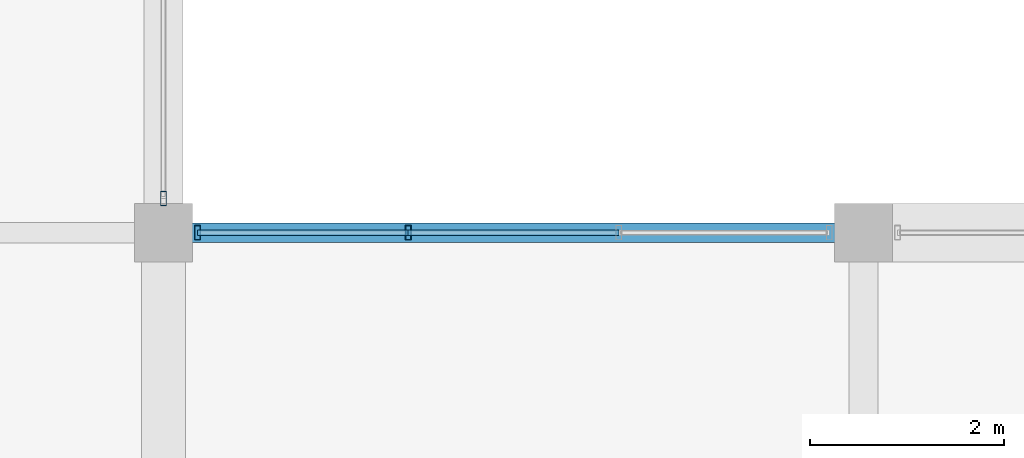
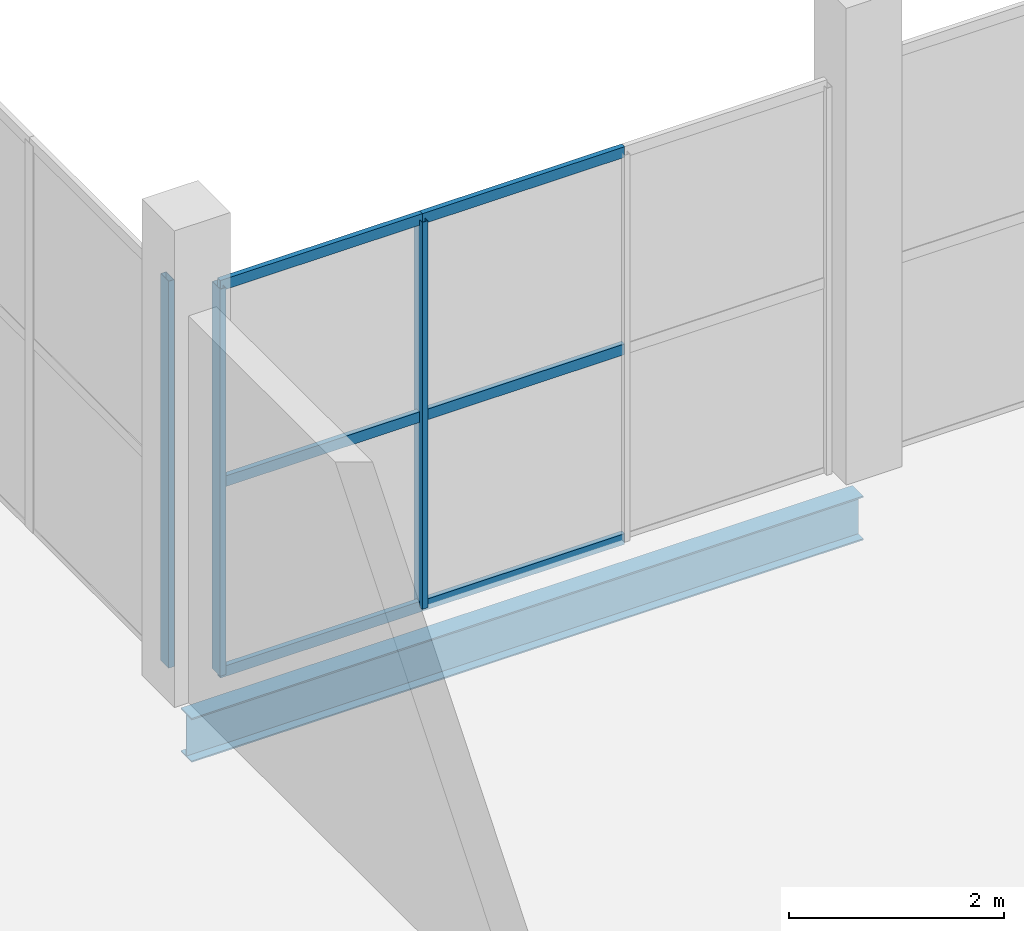
# One storey, part 50 of 141: 9 members, 1 beam, 2 elements without a shape of their own.
"""IFC4 building model written with IfcOpenShell, lengths in metres."""

from ifc_helpers import new_model, si_unit, direction, frame, origin, origin_2d, place, context, subcontext, project, spatial, hollow_rectangle, i_section, extrude, material, layer, layer_set, material_profile, profile_set, type_object, element, aggregate, save


model = new_model("IFC4")

# Units and contexts
model_context = context("Model", 3, precision=1e-05, world=origin(), true_north=direction((0.0, 1.0)))
body_context = subcontext(model_context, "Body", "Model", "MODEL_VIEW")
ifc_project = project(units=[si_unit("LENGTHUNIT", "METRE"), si_unit("AREAUNIT", "SQUARE_METRE"), si_unit("VOLUMEUNIT", "CUBIC_METRE"), si_unit("PLANEANGLEUNIT", "RADIAN"), si_unit("MASSUNIT", "GRAM", prefix="KILO")], contexts=[model_context])

# Site, building, storey
site_placement = place(None, origin())
site = spatial("IfcSite", under=ifc_project, at=site_placement, CompositionType="ELEMENT")
building_placement = place(site_placement, origin())
building = spatial("IfcBuilding", under=site, at=building_placement, Name="Sundgate Opera House", CompositionType="ELEMENT")
storey_placement = place(building_placement, frame((0.0, 0.0, 11.39990234375)))
storey = spatial("IfcBuildingStorey", under=building, at=storey_placement, Name="L02", CompositionType="ELEMENT", Elevation=11.39990234375)

# Beam
ifc_material_1 = material(Name="Steel S355J2", Category="steel")
ifc_material_profile_1 = material_profile(ifc_material_1, i_section(OverallWidth=0.199951171875, OverallDepth=0.5, WebThickness=0.01025390625, FlangeThickness=0.01611328125, at=origin_2d()), Name="IPE 500")
ifc_profile_set_1 = profile_set([ifc_material_profile_1], Name="Steel S355J2")
beam_type = type_object("IfcBeamType", Name="BM-GR-IPE500", PredefinedType="BEAM", material=ifc_profile_set_1)
beam_placement = place(storey_placement, frame((124.199951171875, 87.0, -0.599853515625), z_axis=(1.0, 0.0, 0.0), x_axis=(0.0, 1.0, 0.0)))
element("IfcBeam", 1, at=beam_placement, inside=storey, type_object=beam_type, Name="L02 Primary E-W Girder B2063", PredefinedType="BEAM", context=body_context, shape_type="SweptSolid", body=[
    extrude(i_section(OverallWidth=0.199951171875, OverallDepth=0.5, WebThickness=0.01025390625, FlangeThickness=0.01611328125, at=origin_2d()), origin(), (0.0, 0.0, 1.0), 7.199951171875),
])

# Curtain wall, members
ifc_material_2 = material(Name="Anodized aluminium and low-iron glass", Category="aluminium")
ifc_layer = layer(ifc_material_2, 0.159912109375)
ifc_layer_set = layer_set([ifc_layer], Name="Anodized aluminium and low-iron glass")
curtain_wall_type = type_object("IfcCurtainWallType", Name="CW-STUDIO-DARK", PredefinedType="NOTDEFINED", material=ifc_layer_set)
curtain_wall_1_placement = place(storey_placement, origin())
curtain_wall_1 = element("IfcCurtainWall", 2, at=curtain_wall_1_placement, inside=storey, type_object=curtain_wall_type, Name="L02 Curtain Wall CW108", PredefinedType="NOTDEFINED")
ifc_material_3 = material(Name="Anodized aluminium EN AW-6063", Category="aluminium")
ifc_material_profile_2 = material_profile(ifc_material_3, hollow_rectangle(XDim=0.06005859375, YDim=0.14990234375, WallThickness=0.00390625, at=origin_2d()), Name="CWM 150x60x4")
ifc_profile_set_2 = profile_set([ifc_material_profile_2], Name="Anodized aluminium EN AW-6063")
member_type_1 = type_object("IfcMemberType", Name="CWM-ALU-150x60", PredefinedType="MULLION", material=ifc_profile_set_2)
member_1_placement = place(storey_placement, frame((124.550048828125, 87.0, 0.0), z_axis=(0.0, 0.0, 1.0), x_axis=(1.0, 0.0, 0.0)))
member_1 = element("IfcMember", 3, at=member_1_placement, type_object=member_type_1, Name="CW108 Mullion 1", PredefinedType="MULLION", context=body_context, shape_type="SweptSolid", body=[
    extrude(hollow_rectangle(XDim=0.06005859375, YDim=0.14990234375, WallThickness=0.00390625, at=origin_2d()), origin(), (0.0, 0.0, 1.0), 4.385009765625),
])
member_2_placement = place(storey_placement, frame((126.716552734375, 87.0, 0.0), z_axis=(0.0, 0.0, 1.0), x_axis=(1.0, 0.0, 0.0)))
member_2 = element("IfcMember", 4, at=member_2_placement, type_object=member_type_1, Name="CW108 Mullion 2", PredefinedType="MULLION", context=body_context, shape_type="SweptSolid", body=[
    extrude(hollow_rectangle(XDim=0.06005859375, YDim=0.14990234375, WallThickness=0.00390625, at=origin_2d()), origin(), (0.0, 0.0, 1.0), 4.385009765625),
])

# Curtain wall, member
curtain_wall_2_placement = place(storey_placement, origin())
curtain_wall_2 = element("IfcCurtainWall", 5, at=curtain_wall_2_placement, inside=storey, type_object=curtain_wall_type, Name="L02 Curtain Wall CW116", PredefinedType="NOTDEFINED")
member_3_placement = place(storey_placement, frame((124.199951171875, 87.35009765625, 0.0), z_axis=(0.0, 0.0, 1.0), x_axis=(1.0, 0.0, 0.0)))
member_3 = element("IfcMember", 6, at=member_3_placement, type_object=member_type_1, Name="CW116 Mullion 1", PredefinedType="MULLION", context=body_context, shape_type="SweptSolid", body=[
    extrude(hollow_rectangle(XDim=0.06005859375, YDim=0.14990234375, WallThickness=0.00390625, at=origin_2d()), origin(), (0.0, 0.0, 1.0), 4.385009765625),
])
aggregate(curtain_wall_2, [member_3])

# Member
ifc_material_4 = material(Name="Anodized aluminium EN AW-6063", Category="aluminium")
ifc_material_profile_3 = material_profile(ifc_material_4, hollow_rectangle(XDim=0.054931640625, YDim=0.1201171875, WallThickness=0.00390625, at=origin_2d()), Name="CWT 120x55x4")
ifc_profile_set_3 = profile_set([ifc_material_profile_3], Name="Anodized aluminium EN AW-6063")
member_type_2 = type_object("IfcMemberType", Name="CWT-ALU-120x55", PredefinedType="USERDEFINED", material=ifc_profile_set_3)
member_4_placement = place(storey_placement, frame((124.550048828125, 87.0, 0.0), z_axis=(1.0, 0.0, 0.0), x_axis=(0.0, 1.0, 0.0)))
member_4 = element("IfcMember", 7, at=member_4_placement, type_object=member_type_2, Name="CW108 Transom 1", ObjectType="TRANSOM", PredefinedType="USERDEFINED", context=body_context, shape_type="SweptSolid", body=[
    extrude(hollow_rectangle(XDim=0.054931640625, YDim=0.1201171875, WallThickness=0.00390625, at=origin_2d()), origin(), (0.0, 0.0, 1.0), 2.16650390625),
])

member_5_placement = place(storey_placement, frame((124.550048828125, 87.0, 2.150146484375), z_axis=(1.0, 0.0, 0.0), x_axis=(0.0, 1.0, 0.0)))
member_5 = element("IfcMember", 8, at=member_5_placement, type_object=member_type_2, Name="CW108 Transom 2", ObjectType="TRANSOM", PredefinedType="USERDEFINED", context=body_context, shape_type="SweptSolid", body=[
    extrude(hollow_rectangle(XDim=0.054931640625, YDim=0.1201171875, WallThickness=0.00390625, at=origin_2d()), origin(), (0.0, 0.0, 1.0), 2.16650390625),
])

member_6_placement = place(storey_placement, frame((124.550048828125, 87.0, 4.385009765625), z_axis=(1.0, 0.0, 0.0), x_axis=(0.0, 1.0, 0.0)))
member_6 = element("IfcMember", 9, at=member_6_placement, type_object=member_type_2, Name="CW108 Transom 3", ObjectType="TRANSOM", PredefinedType="USERDEFINED", context=body_context, shape_type="SweptSolid", body=[
    extrude(hollow_rectangle(XDim=0.054931640625, YDim=0.1201171875, WallThickness=0.00390625, at=origin_2d()), origin(), (0.0, 0.0, 1.0), 2.16650390625),
])

member_7_placement = place(storey_placement, frame((126.716552734375, 87.0, 0.0), z_axis=(1.0, 0.0, 0.0), x_axis=(0.0, 1.0, 0.0)))
member_7 = element("IfcMember", 10, at=member_7_placement, type_object=member_type_2, Name="CW108 Transom 4", ObjectType="TRANSOM", PredefinedType="USERDEFINED", context=body_context, shape_type="SweptSolid", body=[
    extrude(hollow_rectangle(XDim=0.054931640625, YDim=0.1201171875, WallThickness=0.00390625, at=origin_2d()), origin(), (0.0, 0.0, 1.0), 2.166748046875),
])

member_8_placement = place(storey_placement, frame((126.716552734375, 87.0, 2.150146484375), z_axis=(1.0, 0.0, 0.0), x_axis=(0.0, 1.0, 0.0)))
member_8 = element("IfcMember", 11, at=member_8_placement, type_object=member_type_2, Name="CW108 Transom 5", ObjectType="TRANSOM", PredefinedType="USERDEFINED", context=body_context, shape_type="SweptSolid", body=[
    extrude(hollow_rectangle(XDim=0.054931640625, YDim=0.1201171875, WallThickness=0.00390625, at=origin_2d()), origin(), (0.0, 0.0, 1.0), 2.166748046875),
])

member_9_placement = place(storey_placement, frame((126.716552734375, 87.0, 4.385009765625), z_axis=(1.0, 0.0, 0.0), x_axis=(0.0, 1.0, 0.0)))
member_9 = element("IfcMember", 12, at=member_9_placement, type_object=member_type_2, Name="CW108 Transom 6", ObjectType="TRANSOM", PredefinedType="USERDEFINED", context=body_context, shape_type="SweptSolid", body=[
    extrude(hollow_rectangle(XDim=0.054931640625, YDim=0.1201171875, WallThickness=0.00390625, at=origin_2d()), origin(), (0.0, 0.0, 1.0), 2.166748046875),
])

aggregate(curtain_wall_1, [member_1, member_2, member_4, member_5, member_6, member_7, member_8, member_9])

save(model, "model.ifc")
